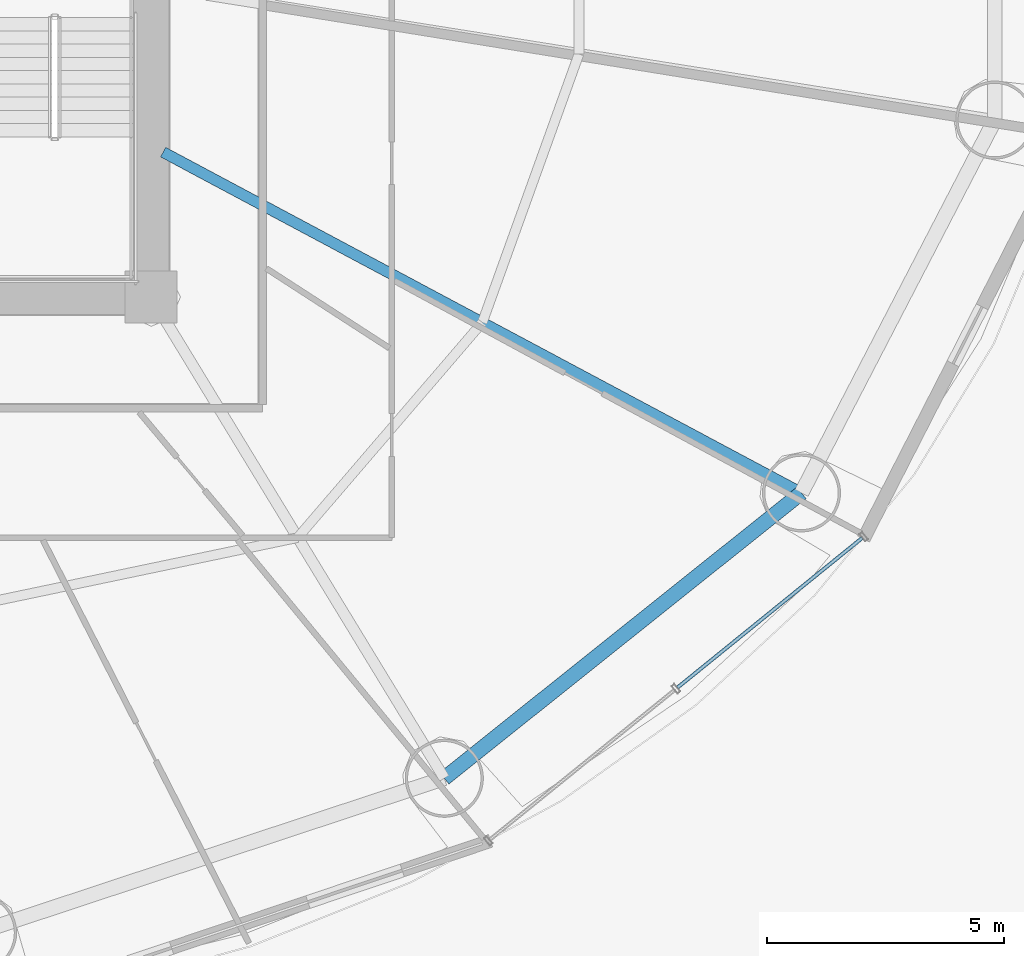
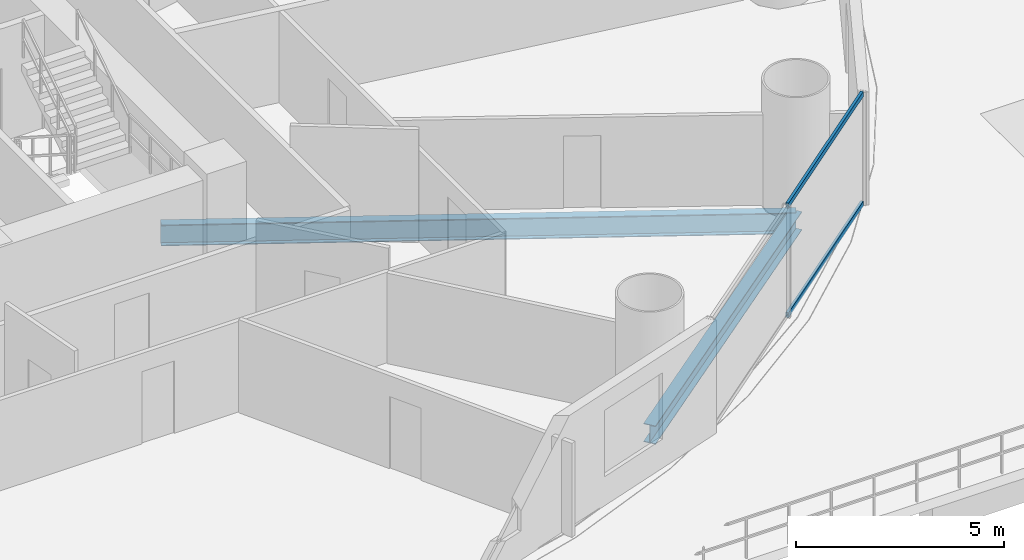
# One storey, part 14 of 37: 2 beams, 2 members, 1 element without a shape of its own.
"""IFC4 building model written with IfcOpenShell, lengths in metres."""

import ifcopenshell
import ifcopenshell.guid

model = None  # the IFC model being written
_history = None  # IfcOwnerHistory: only IFC2X3 demands one
_inside = {}  # id of a spatial element -> (the spatial element, [elements in it])
_under = {}  # id of a project, library or spatial element -> (it, [spatial elements below it])
_declared = {}  # id of a project -> (the project, [libraries it declares])
_typed = {}  # id of a type object -> (the type object, [elements of that type])
_made_of = {}  # id of a material, layer set ... -> (it, [elements and type objects made of it])


def new_model(schema):
    """Start an empty IFC model of exactly this schema.

    Asked for "IFC4X3", IfcOpenShell would pick the latest addendum, in which some entities
    have other attributes; the version numbers below select the first issue.
    IFC2X3 requires an IfcOwnerHistory on every rooted entity: one is made here for all.
    """
    global model, _history
    if schema == "IFC4X3":
        model = ifcopenshell.file(schema_version=(4, 3, 0, 0))
    else:
        model = ifcopenshell.file(schema=schema)
    _inside.clear()
    _under.clear()
    _declared.clear()
    _typed.clear()
    _made_of.clear()
    _history = None
    if model.schema == "IFC2X3":
        org = make("IfcOrganization", Name="unknown")
        user = make(
            "IfcPersonAndOrganization",
            ThePerson=make("IfcPerson", FamilyName="unknown"),
            TheOrganization=org,
        )
        app = make(
            "IfcApplication",
            ApplicationDeveloper=org,
            Version="unknown",
            ApplicationFullName="unknown",
            ApplicationIdentifier="unknown",
        )
        _history = make(
            "IfcOwnerHistory",
            OwningUser=user,
            OwningApplication=app,
            ChangeAction="ADDED",
            CreationDate=0,
        )
    return model


def make(cls, **values):
    """One entity of the class cls with the attributes given. An attribute that is None is left unset."""
    return model.create_entity(
        cls, **{name: value for name, value in values.items() if value is not None}
    )


def rooted(cls, **values):
    """An entity with a GlobalId (a new one), such as an element, a storey or a relation."""
    return make(cls, GlobalId=ifcopenshell.guid.new(), OwnerHistory=_history, **values)


def si_unit(unit_type, name, prefix=None):
    """IfcSIUnit, for example si_unit("LENGTHUNIT", "METRE", prefix="MILLI")."""
    return make("IfcSIUnit", UnitType=unit_type, Prefix=prefix, Name=name)


def assignment(units):
    """IfcUnitAssignment: the units of a project."""
    return None if units is None else make("IfcUnitAssignment", Units=units)


def point(xyz):
    """IfcCartesianPoint."""
    return None if xyz is None else make("IfcCartesianPoint", Coordinates=xyz)


def direction(xyz):
    """IfcDirection."""
    return None if xyz is None else make("IfcDirection", DirectionRatios=xyz)


def frame(location, z_axis=None, x_axis=None):
    """IfcAxis2Placement3D, a coordinate frame: its origin and axes. An axis left out is left unset."""
    return make(
        "IfcAxis2Placement3D",
        Location=point(location),
        Axis=direction(z_axis),
        RefDirection=direction(x_axis),
    )


def frame_2d(location, x_axis=None):
    """IfcAxis2Placement2D, a coordinate frame in the plane: its origin and x axis."""
    return make(
        "IfcAxis2Placement2D", Location=point(location), RefDirection=direction(x_axis)
    )


def origin():
    """The frame at (0, 0, 0) with its axes left unset."""
    return frame((0.0, 0.0, 0.0))


def origin_2d():
    """The frame at (0, 0) in the plane with its x axis left unset."""
    return frame_2d((0.0, 0.0))


def place(relative_to, where):
    """IfcLocalPlacement: puts the frame where relative to a parent placement (None: the world)."""
    return make(
        "IfcLocalPlacement", PlacementRelTo=relative_to, RelativePlacement=where
    )


def context(
    kind, dimensions, precision=None, world=None, true_north=None, identifier=None
):
    """IfcGeometricRepresentationContext, for example the 3D "Model" context."""
    return make(
        "IfcGeometricRepresentationContext",
        ContextIdentifier=identifier,
        ContextType=kind,
        CoordinateSpaceDimension=dimensions,
        Precision=precision,
        WorldCoordinateSystem=world,
        TrueNorth=true_north,
    )


def subcontext(parent, identifier, kind, view, scale=None):
    """IfcGeometricRepresentationSubContext, for example "Body" below "Model"."""
    return make(
        "IfcGeometricRepresentationSubContext",
        ContextIdentifier=identifier,
        ContextType=kind,
        ParentContext=parent,
        TargetScale=scale,
        TargetView=view,
    )


def project(units=None, contexts=None):
    """IfcProject with its units and contexts."""
    return rooted(
        "IfcProject",
        Name="project",
        RepresentationContexts=contexts,
        UnitsInContext=assignment(units),
    )


def spatial(cls, under=None, at=None, **own):
    """A site, building, storey or space (cls), placed at a placement, below another one or the project."""
    s = rooted(cls, ObjectPlacement=at, **own)
    if under is not None:
        _under.setdefault(under.id(), (under, []))[1].append(s)
    return s


def profile(cls, at=None, kind="AREA", **sizes):
    """A parametric profile (cls). Its sizes go by their IFC names, for example OverallWidth=200.0."""
    return make(cls, ProfileType=kind, Position=at, **sizes)


def hollow_rectangle(**sizes):
    """IfcRectangleHollowProfileDef."""
    return profile("IfcRectangleHollowProfileDef", **sizes)


def i_section(**sizes):
    """IfcIShapeProfileDef."""
    return profile("IfcIShapeProfileDef", **sizes)


def extrude(swept, where, along, depth):
    """IfcExtrudedAreaSolid: the profile swept, set in the frame where, extruded along a direction by depth."""
    return make(
        "IfcExtrudedAreaSolid",
        SweptArea=swept,
        Position=where,
        ExtrudedDirection=direction(along),
        Depth=depth,
    )


def shape(context_of_items, identifier, shape_type, items):
    """IfcShapeRepresentation: the items that make up one representation, for example the "Body"."""
    return make(
        "IfcShapeRepresentation",
        ContextOfItems=context_of_items,
        RepresentationIdentifier=identifier,
        RepresentationType=shape_type,
        Items=items,
    )


def source(mapping_origin, context_of_items, identifier, shape_type, items):
    """IfcRepresentationMap: a shape defined once, which mapped items show again and again."""
    return make(
        "IfcRepresentationMap",
        MappingOrigin=mapping_origin,
        MappedRepresentation=shape(context_of_items, identifier, shape_type, items),
    )


def transform(
    local_origin,
    x_axis=None,
    y_axis=None,
    z_axis=None,
    scale=None,
    scale2=None,
    scale3=None,
    uniform=True,
):
    """IfcCartesianTransformationOperator3D, or its non-uniform kind. x_axis, y_axis, z_axis: its Axis1, 2, 3."""
    if uniform:
        return make(
            "IfcCartesianTransformationOperator3D",
            Axis1=direction(x_axis),
            Axis2=direction(y_axis),
            LocalOrigin=point(local_origin),
            Scale=scale,
            Axis3=direction(z_axis),
        )
    return make(
        "IfcCartesianTransformationOperator3DnonUniform",
        Axis1=direction(x_axis),
        Axis2=direction(y_axis),
        LocalOrigin=point(local_origin),
        Scale=scale,
        Axis3=direction(z_axis),
        Scale2=scale2,
        Scale3=scale3,
    )


def mapped(mapping_source, mapping_target):
    """IfcMappedItem: shows the shape of a source again, moved by a transform."""
    return make(
        "IfcMappedItem", MappingSource=mapping_source, MappingTarget=mapping_target
    )


def material(Name=None, Category=None):
    """IfcMaterial."""
    return make("IfcMaterial", Name=Name, Category=Category)


def material_profile(
    of_material, cross_section, Name=None, Category=None, Priority=None
):
    """IfcMaterialProfile: a cross section and its material."""
    return make(
        "IfcMaterialProfile",
        Name=Name,
        Material=of_material,
        Profile=cross_section,
        Priority=Priority,
        Category=Category,
    )


def profile_set(profiles, Name=None, composite=None):
    """IfcMaterialProfileSet."""
    return make(
        "IfcMaterialProfileSet",
        Name=Name,
        MaterialProfiles=profiles,
        CompositeProfile=composite,
    )


def made_of(thing, what):
    """Note that an element or type object is made of a material, layer set ...; save() writes the relation."""
    if what is not None:
        _made_of.setdefault(what.id(), (what, []))[1].append(thing)
    return thing


def type_object(cls, material=None, **own):
    """A type object (cls), such as IfcWallType, which elements share."""
    return made_of(rooted(cls, **own), material)


def element(
    cls,
    number,
    at=None,
    inside=None,
    cuts=None,
    type_object=None,
    material=None,
    context=None,
    identifier="Body",
    shape_type=None,
    held_by="IfcProductDefinitionShape",
    body=None,
    shapes=None,
    **own,
):
    """One element of the class cls, such as IfcWall. Its Tag is "e" and its number.

    at: its placement. inside: the storey or other place that contains it. cuts: it is an
    opening in that element (IfcRelVoidsElement). A single representation is given by context,
    identifier, shape_type and body (its items); several are given by shapes. held_by: the class
    of the entity that holds the representations. save() writes the other relations.
    """
    e = rooted(cls, Tag="e%d" % number, ObjectPlacement=at, **own)
    if body is not None:
        shapes = [shape(context, identifier, shape_type, body)]
    if shapes is not None:
        e.Representation = make(held_by, Representations=shapes)
    if inside is not None:
        _inside.setdefault(inside.id(), (inside, []))[1].append(e)
    if cuts is not None:
        rooted(
            "IfcRelVoidsElement", RelatingBuildingElement=cuts, RelatedOpeningElement=e
        )
    if type_object is not None:
        _typed.setdefault(type_object.id(), (type_object, []))[1].append(e)
    return made_of(e, material)


def aggregate(whole, parts):
    """IfcRelAggregates: a whole, such as a stair, and the parts it consists of."""
    return rooted("IfcRelAggregates", RelatingObject=whole, RelatedObjects=parts)


def save(model, path):
    """Write the relations noted so far, then the file.

    IfcRelAggregates (storeys below a building ...), IfcRelContainedInSpatialStructure (elements
    in a storey), IfcRelDefinesByType, IfcRelAssociatesMaterial and IfcRelDeclares: one each for
    every whole, place, type object, material and project.
    """
    for whole, parts in _under.values():
        aggregate(whole, parts)
    for where, things in _inside.values():
        rooted(
            "IfcRelContainedInSpatialStructure",
            RelatedElements=things,
            RelatingStructure=where,
        )
    for kind, things in _typed.values():
        rooted("IfcRelDefinesByType", RelatedObjects=things, RelatingType=kind)
    for what, things in _made_of.values():
        rooted("IfcRelAssociatesMaterial", RelatedObjects=things, RelatingMaterial=what)
    for by, libraries in _declared.values():
        rooted("IfcRelDeclares", RelatingContext=by, RelatedDefinitions=libraries)
    model.write(path)


model = new_model("IFC4")

# Units and contexts
model_context = context("Model", 3, precision=1e-05, world=origin(), true_north=direction((-0.2419218956, 0.970295726276)))
body_context = subcontext(model_context, "Body", "Model", "MODEL_VIEW")
ifc_project = project(units=[si_unit("LENGTHUNIT", "METRE"), si_unit("AREAUNIT", "SQUARE_METRE"), si_unit("VOLUMEUNIT", "CUBIC_METRE"), si_unit("PLANEANGLEUNIT", "RADIAN"), si_unit("MASSUNIT", "GRAM", prefix="KILO")], contexts=[model_context])

# Site, building, storey
site_placement = place(None, origin())
site = spatial("IfcSite", under=ifc_project, at=site_placement, CompositionType="ELEMENT")
building_placement = place(site_placement, origin())
building = spatial("IfcBuilding", under=site, at=building_placement, Name="Cobrevalo Terracotta Tower", CompositionType="ELEMENT")
storey_placement = place(building_placement, frame((0.0, 0.0, 24.0)))
storey = spatial("IfcBuildingStorey", under=building, at=storey_placement, Name="L05", CompositionType="ELEMENT", Elevation=24.0)

# Beams
ifc_material_1 = material(Name="Steel S355", Category="steel")
ifc_material_profile_1 = material_profile(ifc_material_1, i_section(OverallWidth=0.22998046875, OverallDepth=0.616943359375, WebThickness=0.01318359375, FlangeThickness=0.022216796875, at=origin_2d()), Name="W 610x140")
ifc_profile_set_1 = profile_set([ifc_material_profile_1], Name="Steel S355")
beam_type_1 = type_object("IfcBeamType", Name="Structural Beam W 610x140 (Steel S355)", PredefinedType="BEAM", material=ifc_profile_set_1)
beam_1_placement = place(storey_placement, frame((60.74072265625, 14.660888671875, -0.58837890625), z_axis=(-0.88218223571, 0.470908168329, 0.0), x_axis=(-0.470908168329, -0.88218223571, 0.0)))
element("IfcBeam", 1, at=beam_1_placement, inside=storey, type_object=beam_type_1, Name="L05 radial floor girder 15", PredefinedType="BEAM", context=body_context, shape_type="SweptSolid", body=[
    extrude(i_section(OverallWidth=0.22998046875, OverallDepth=0.616943359375, WebThickness=0.01318359375, FlangeThickness=0.022216796875, at=origin_2d()), origin(), (0.0, 0.0, 1.0), 15.286865234375),
])
ifc_material_profile_2 = material_profile(ifc_material_1, i_section(OverallWidth=0.31201171875, OverallDepth=0.54296875, WebThickness=0.0126953125, FlangeThickness=0.020263671875, at=origin_2d()), Name="W 530x150")
ifc_profile_set_2 = profile_set([ifc_material_profile_2], Name="Steel S355")
beam_type_2 = type_object("IfcBeamType", Name="Structural Spandrel W 530x150 (Steel S355)", PredefinedType="SPANDREL", material=ifc_profile_set_2)
beam_2_placement = place(storey_placement, frame((53.19482421875, 8.63232421875, -0.551513671875), z_axis=(0.781280479891, 0.62418011162, 0.0), x_axis=(-0.62418011162, 0.781280479891, 0.0)))
element("IfcBeam", 2, at=beam_2_placement, inside=storey, type_object=beam_type_2, Name="L05 perimeter ring spandrel 14", PredefinedType="SPANDREL", context=body_context, shape_type="SweptSolid", body=[
    extrude(i_section(OverallWidth=0.31201171875, OverallDepth=0.54296875, WebThickness=0.0126953125, FlangeThickness=0.020263671875, at=origin_2d()), origin(), (0.0, 0.0, 1.0), 9.658447265625),
])

# Curtain wall, members
ifc_material_2 = material(Name="Anodized aluminium", Category="aluminium")
curtain_wall_type = type_object("IfcCurtainWallType", Name="Lower-tower unitised acoustic low-E curtain wall CW-U1", PredefinedType="NOTDEFINED", material=ifc_material_2)
curtain_wall_placement = place(storey_placement, origin())
curtain_wall = element("IfcCurtainWall", 3, at=curtain_wall_placement, inside=storey, type_object=curtain_wall_type, Name="L05 curtain wall CW-L05-S14", PredefinedType="NOTDEFINED")
ifc_material_profile_3 = material_profile(ifc_material_2, hollow_rectangle(XDim=0.074951171875, YDim=0.14990234375, WallThickness=0.00439453125, at=origin_2d()), Name="CWT 75x150")
ifc_profile_set_3 = profile_set([ifc_material_profile_3], Name="Anodized aluminium")
member_type = type_object("IfcMemberType", Name="Tower unitised aluminium transom 75x150", PredefinedType="USERDEFINED", material=ifc_profile_set_3)
shared_shape = source(origin(), body_context, "Body", "SweptSolid", [
    extrude(hollow_rectangle(XDim=0.074951171875, YDim=0.14990234375, WallThickness=0.00439453125, at=origin_2d()), origin(), (0.0, 0.0, 1.0), 5.0234375),
])
member_1_placement = place(storey_placement, frame((58.122314453125, 10.54833984375, 0.050048828125), z_axis=(0.777022991593, 0.629472215857, 0.0), x_axis=(-0.629472215857, 0.777022991593, 0.0)))
member_1 = element("IfcMember", 4, at=member_1_placement, type_object=member_type, Name="CW-L05-S14 transom B02-T1", ObjectType="TRANSOM", PredefinedType="USERDEFINED", context=body_context, shape_type="MappedRepresentation", body=[
    mapped(shared_shape, transform((0.0, 0.0, 0.0), scale=1.0)),
])
member_2_placement = place(storey_placement, frame((58.122314453125, 10.54833984375, 3.27001953125), z_axis=(0.777022991593, 0.629472215857, 0.0), x_axis=(-0.629472215857, 0.777022991593, 0.0)))
member_2 = element("IfcMember", 5, at=member_2_placement, type_object=member_type, Name="CW-L05-S14 transom B02-T2", ObjectType="TRANSOM", PredefinedType="USERDEFINED", context=body_context, shape_type="MappedRepresentation", body=[
    mapped(shared_shape, transform((0.0, 0.0, 0.0), scale=1.0)),
])
aggregate(curtain_wall, [member_1, member_2])

save(model, "model.ifc")
